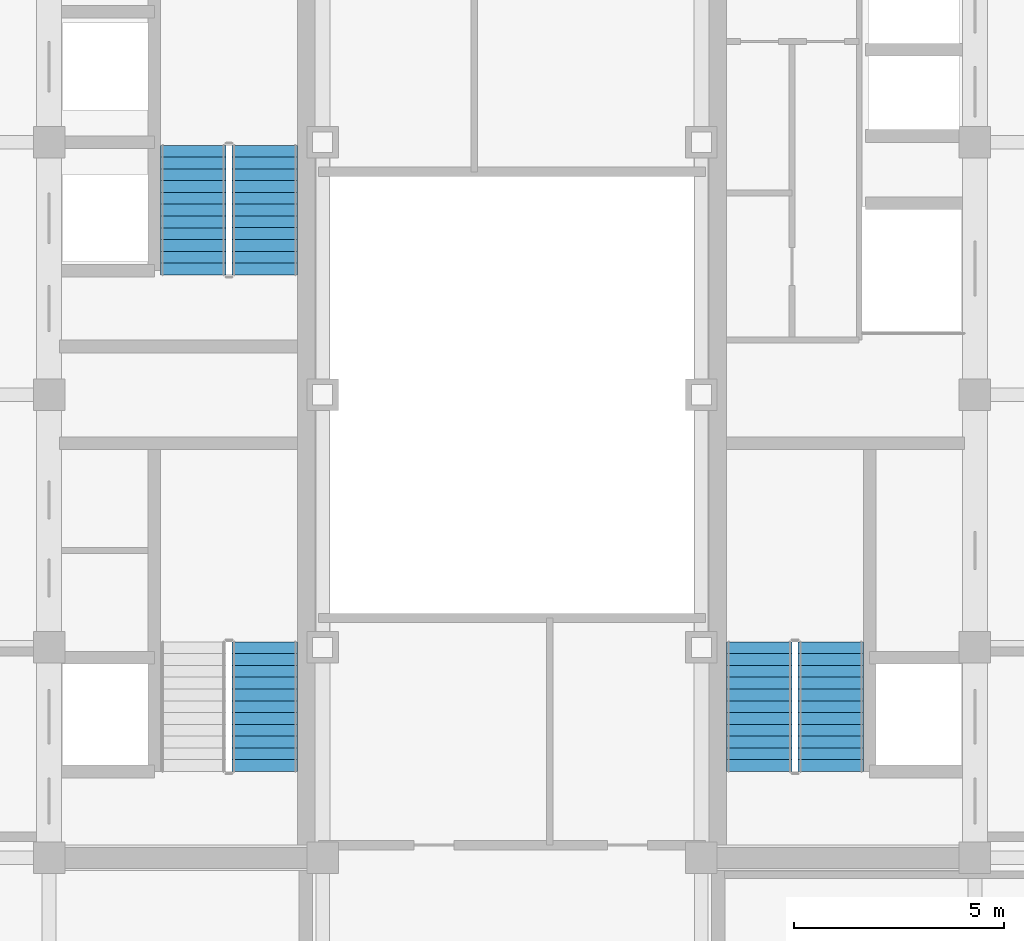
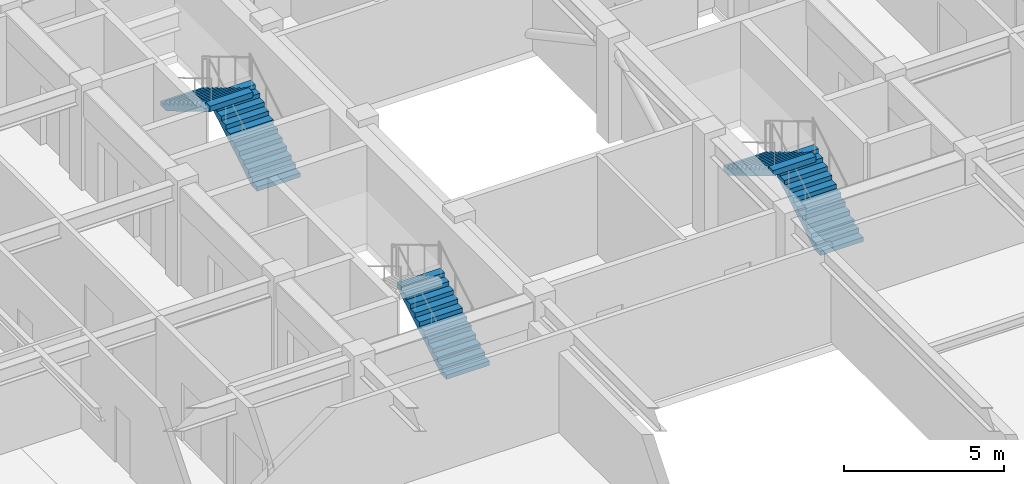
# One storey, part 28 of 29: 5 stair flights, 3 elements without a shape of their own.
"""IFC4 building model written with IfcOpenShell, lengths in metres."""

from ifc_helpers import new_model, si_unit, direction, frame, origin, place, context, subcontext, project, spatial, polyline, outline, extrude, source, transform, mapped, material, type_object, element, aggregate, save


model = new_model("IFC4")

# Units and contexts
model_context = context("Model", 3, precision=1e-05, world=origin(), true_north=direction((0.0, 1.0)))
body_context = subcontext(model_context, "Body", "Model", "MODEL_VIEW")
ifc_project = project(units=[si_unit("LENGTHUNIT", "METRE"), si_unit("AREAUNIT", "SQUARE_METRE"), si_unit("VOLUMEUNIT", "CUBIC_METRE"), si_unit("PLANEANGLEUNIT", "RADIAN"), si_unit("MASSUNIT", "GRAM", prefix="KILO")], contexts=[model_context])

# Site, building, storey
site_placement = place(None, origin())
site = spatial("IfcSite", under=ifc_project, at=site_placement, CompositionType="ELEMENT")
building_placement = place(site_placement, origin())
building = spatial("IfcBuilding", under=site, at=building_placement, Name="Khorayat Bourse Tower", CompositionType="ELEMENT")
storey_placement = place(building_placement, frame((0.0, 0.0, 350.300048828125)))
storey = spatial("IfcBuildingStorey", under=building, at=storey_placement, Name="L83", CompositionType="ELEMENT", Elevation=350.300048828125)

# Stair, stair flight
ifc_material = material(Name="Concrete C40/50", Category="concrete")
stair_type = type_object("IfcStairType", Name="STR-CORE-1550", PredefinedType="HALF_TURN_STAIR", material=ifc_material)
stair_1_placement = place(storey_placement, origin())
stair_1 = element("IfcStair", 1, at=stair_1_placement, inside=storey, type_object=stair_type, Name="L83 Exit Stair ST-1", PredefinedType="HALF_TURN_STAIR")
stair_flight_type = type_object("IfcStairFlightType", Name="FLT-CORE-1550", PredefinedType="STRAIGHT", material=ifc_material)
shared_shape = source(origin(), body_context, "Body", "SweptSolid", [
    extrude(outline(polyline([(0.0, 0.0), (0.0, 0.166748046875), (0.280029296875, 0.166748046875), (0.280029296875, 0.333251953125), (0.56005859375, 0.333251953125), (0.56005859375, 0.5), (0.840087890625, 0.5), (0.840087890625, 0.666748046875), (1.1201171875, 0.666748046875), (1.1201171875, 0.833251953125), (1.39990234375, 0.833251953125), (1.39990234375, 1.0), (1.679931640625, 1.0), (1.679931640625, 1.166748046875), (1.9599609375, 1.166748046875), (1.9599609375, 1.333251953125), (2.239990234375, 1.333251953125), (2.239990234375, 1.5), (2.52001953125, 1.5), (2.52001953125, 1.666748046875), (2.800048828125, 1.666748046875), (2.800048828125, 1.833251953125), (3.080078125, 1.833251953125), (3.080078125, 2.0), (3.080078125, 1.6240234375), (0.351806640625, 0.0), (0.0, 0.0)])), frame((0.0, 0.77490234375, 0.0), z_axis=(0.0, -1.0, 0.0), x_axis=(1.0, 0.0, 0.0)), (0.0, 0.0, 1.0), 1.550048828125),
])
stair_flight_1_placement = place(storey_placement, frame((-5.875, -8.949951171875, 0.0), z_axis=(0.0, 0.0, 1.0), x_axis=(0.0, 1.0, 0.0)))
stair_flight_1 = element("IfcStairFlight", 2, at=stair_flight_1_placement, type_object=stair_flight_type, Name="ST-1 flight 1", NumberOfRisers=12, NumberOfTreads=11, PredefinedType="STRAIGHT", RiserHeight=0.166666667, TreadLength=0.28, context=body_context, shape_type="MappedRepresentation", body=[
    mapped(shared_shape, transform((0.0, 0.0, 0.0), scale=1.0)),
])
aggregate(stair_1, [stair_flight_1])

# Stair, stair flights
stair_2_placement = place(storey_placement, origin())
stair_2 = element("IfcStair", 3, at=stair_2_placement, inside=storey, type_object=stair_type, Name="L83 Exit Stair ST-2", PredefinedType="HALF_TURN_STAIR")
stair_flight_2_placement = place(storey_placement, frame((-5.875, 2.85009765625, 0.0), z_axis=(0.0, 0.0, 1.0), x_axis=(0.0, 1.0, 0.0)))
stair_flight_2 = element("IfcStairFlight", 4, at=stair_flight_2_placement, type_object=stair_flight_type, Name="ST-2 flight 1", NumberOfRisers=12, NumberOfTreads=11, PredefinedType="STRAIGHT", RiserHeight=0.166666667, TreadLength=0.28, context=body_context, shape_type="MappedRepresentation", body=[
    mapped(shared_shape, transform((0.0, 0.0, 0.0), scale=1.0)),
])
stair_flight_3_placement = place(storey_placement, frame((-7.574951171875, 5.929931640625, 2.0), z_axis=(0.0, 0.0, 1.0), x_axis=(0.0, -1.0, 0.0)))
stair_flight_3 = element("IfcStairFlight", 5, at=stair_flight_3_placement, type_object=stair_flight_type, Name="ST-2 flight 2", NumberOfRisers=12, NumberOfTreads=11, PredefinedType="STRAIGHT", RiserHeight=0.166666667, TreadLength=0.28, context=body_context, shape_type="MappedRepresentation", body=[
    mapped(shared_shape, transform((0.0, 0.0, 0.0), scale=1.0)),
])
aggregate(stair_2, [stair_flight_2, stair_flight_3])

stair_3_placement = place(storey_placement, origin())
stair_3 = element("IfcStair", 6, at=stair_3_placement, inside=storey, type_object=stair_type, Name="L83 Exit Stair ST-3", PredefinedType="HALF_TURN_STAIR")
stair_flight_4_placement = place(storey_placement, frame((7.574951171875, -8.949951171875, 0.0), z_axis=(0.0, 0.0, 1.0), x_axis=(0.0, 1.0, 0.0)))
stair_flight_4 = element("IfcStairFlight", 7, at=stair_flight_4_placement, type_object=stair_flight_type, Name="ST-3 flight 1", NumberOfRisers=12, NumberOfTreads=11, PredefinedType="STRAIGHT", RiserHeight=0.166666667, TreadLength=0.28, context=body_context, shape_type="MappedRepresentation", body=[
    mapped(shared_shape, transform((0.0, 0.0, 0.0), scale=1.0)),
])
stair_flight_5_placement = place(storey_placement, frame((5.875, -5.8701171875, 2.0), z_axis=(0.0, 0.0, 1.0), x_axis=(0.0, -1.0, 0.0)))
stair_flight_5 = element("IfcStairFlight", 8, at=stair_flight_5_placement, type_object=stair_flight_type, Name="ST-3 flight 2", NumberOfRisers=12, NumberOfTreads=11, PredefinedType="STRAIGHT", RiserHeight=0.166666667, TreadLength=0.28, context=body_context, shape_type="MappedRepresentation", body=[
    mapped(shared_shape, transform((0.0, 0.0, 0.0), scale=1.0)),
])
aggregate(stair_3, [stair_flight_4, stair_flight_5])

save(model, "model.ifc")
